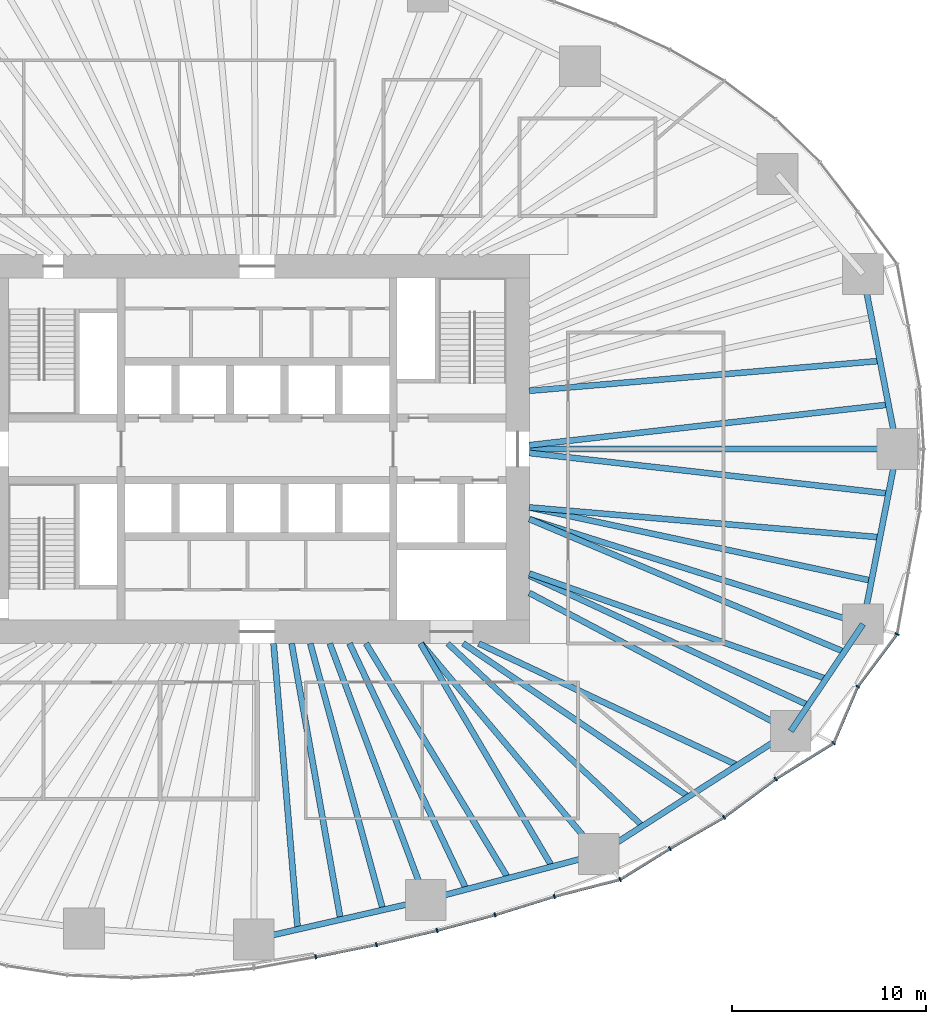
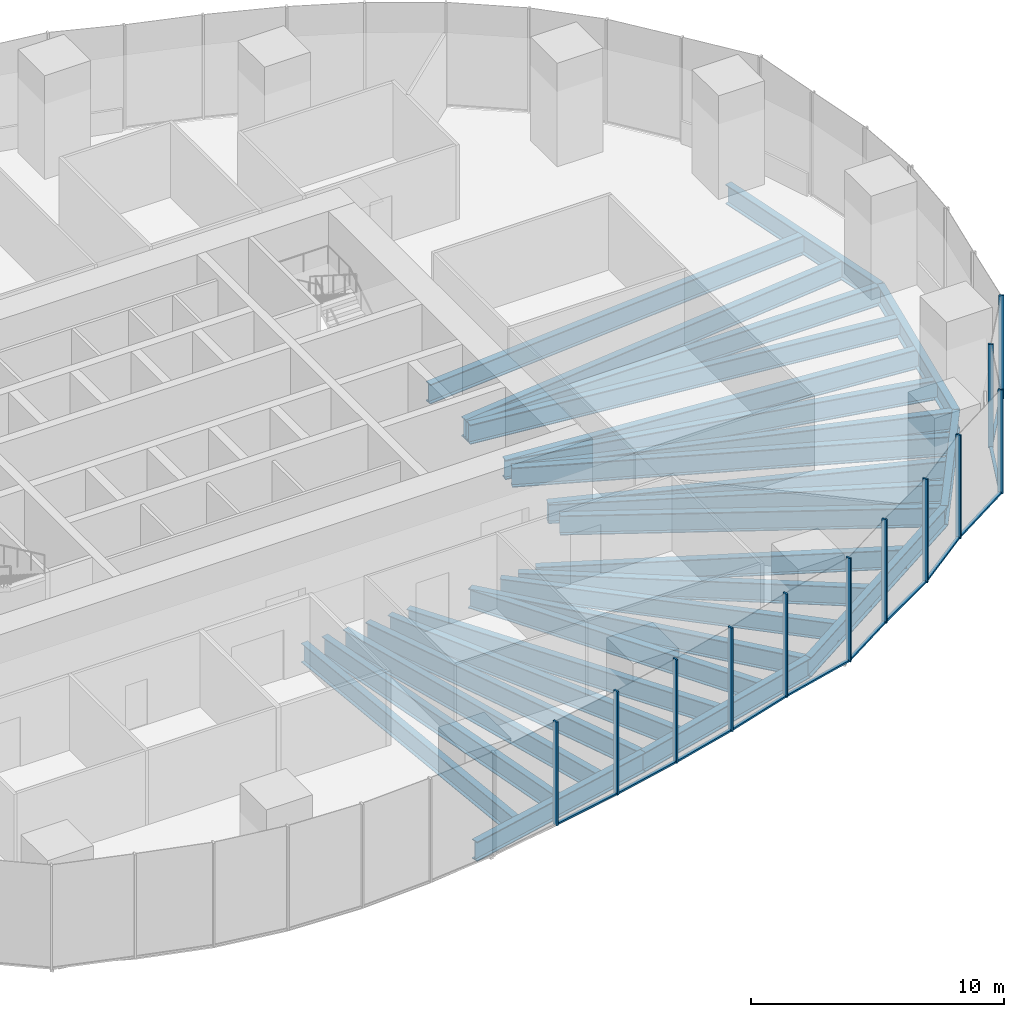
# One storey, part 4 of 20: 28 beams, 23 members, 5 elements without a shape of their own.
"""IFC4 building model written with IfcOpenShell, lengths in metres."""

from ifc_helpers import new_model, si_unit, direction, frame, origin, origin_2d, place, context, subcontext, project, spatial, rectangle, i_section, extrude, material, material_profile, profile_set, type_object, element, aggregate, save


model = new_model("IFC4")

# Units and contexts
model_context = context("Model", 3, precision=1e-05, world=origin(), true_north=direction((0.0, 1.0)))
body_context = subcontext(model_context, "Body", "Model", "MODEL_VIEW")
ifc_project = project(units=[si_unit("LENGTHUNIT", "METRE"), si_unit("AREAUNIT", "SQUARE_METRE"), si_unit("VOLUMEUNIT", "CUBIC_METRE"), si_unit("PLANEANGLEUNIT", "RADIAN"), si_unit("MASSUNIT", "GRAM", prefix="KILO")], contexts=[model_context])

# Site, building, storey
site_placement = place(None, origin())
site = spatial("IfcSite", under=ifc_project, at=site_placement, CompositionType="ELEMENT")
building_placement = place(site_placement, origin())
building = spatial("IfcBuilding", under=site, at=building_placement, Name="Ghaith Harvest Tower", CompositionType="ELEMENT")
storey_placement = place(building_placement, frame((0.0, 0.0, 35.0)))
storey = spatial("IfcBuildingStorey", under=building, at=storey_placement, Name="L07", CompositionType="ELEMENT", Elevation=35.0)

# Curtain wall, members
ifc_material_1 = material(Name="Black anodised aluminium and fritted glass", Category="aluminium")
curtain_wall_type = type_object("IfcCurtainWallType", Name="CW-F CURTAIN WALL", PredefinedType="NOTDEFINED", material=ifc_material_1)
curtain_wall_1_placement = place(storey_placement, origin())
curtain_wall_1 = element("IfcCurtainWall", 1, at=curtain_wall_1_placement, inside=storey, type_object=curtain_wall_type, Name="Curtain wall CW-F bay 16 L07", PredefinedType="NOTDEFINED")
ifc_material_2 = material(Name="Aluminium, black anodised", Category="aluminium")
ifc_material_profile_1 = material_profile(ifc_material_2, rectangle(XDim=0.080078125, YDim=0.219970703125, at=origin_2d()), Name="CW-F MULLION 80x220")
ifc_profile_set_1 = profile_set([ifc_material_profile_1], Name="Aluminium, black anodised")
member_type_1 = type_object("IfcMemberType", Name="CW-F MULLION 80x220", PredefinedType="MULLION", material=ifc_profile_set_1)
member_1_placement = place(storey_placement, frame((3.00927734375, -26.123291015625, 0.0), z_axis=(0.0, 0.0, 1.0), x_axis=(0.981818445714, 0.189822389762, 0.0)))
member_1 = element("IfcMember", 2, at=member_1_placement, type_object=member_type_1, Name="CW-F mullion 2 bay 16 L07", PredefinedType="MULLION", context=body_context, shape_type="SweptSolid", body=[
    extrude(rectangle(XDim=0.080078125, YDim=0.219970703125, at=origin_2d()), origin(), (0.0, 0.0, 1.0), 5.0),
])
member_2_placement = place(storey_placement, frame((6.136962890625, -25.495361328125, 0.0), z_axis=(0.0, 0.0, 1.0), x_axis=(0.977117973572, 0.212698062336, 0.0)))
member_2 = element("IfcMember", 3, at=member_2_placement, type_object=member_type_1, Name="CW-F mullion 3 bay 16 L07", PredefinedType="MULLION", context=body_context, shape_type="SweptSolid", body=[
    extrude(rectangle(XDim=0.080078125, YDim=0.219970703125, at=origin_2d()), origin(), (0.0, 0.0, 1.0), 5.0),
])

curtain_wall_2_placement = place(storey_placement, origin())
curtain_wall_2 = element("IfcCurtainWall", 4, at=curtain_wall_2_placement, inside=storey, type_object=curtain_wall_type, Name="Curtain wall CW-F bay 17 L07", PredefinedType="NOTDEFINED")
member_3_placement = place(storey_placement, frame((9.25732421875, -24.76318359375, 0.0), z_axis=(0.0, 0.0, 1.0), x_axis=(0.969903429248, 0.24348991341, 0.0)))
member_3 = element("IfcMember", 5, at=member_3_placement, type_object=member_type_1, Name="CW-F mullion 1 bay 17 L07", PredefinedType="MULLION", context=body_context, shape_type="SweptSolid", body=[
    extrude(rectangle(XDim=0.080078125, YDim=0.219970703125, at=origin_2d()), origin(), (0.0, 0.0, 1.0), 5.0),
])
member_4_placement = place(storey_placement, frame((12.234375, -23.964599609375, 0.0), z_axis=(0.0, 0.0, 1.0), x_axis=(0.960502189734, 0.278272426799, 0.0)))
member_4 = element("IfcMember", 6, at=member_4_placement, type_object=member_type_1, Name="CW-F mullion 2 bay 17 L07", PredefinedType="MULLION", context=body_context, shape_type="SweptSolid", body=[
    extrude(rectangle(XDim=0.080078125, YDim=0.219970703125, at=origin_2d()), origin(), (0.0, 0.0, 1.0), 5.0),
])
member_5_placement = place(storey_placement, frame((15.28759765625, -23.01611328125, 0.0), z_axis=(0.0, 0.0, 1.0), x_axis=(0.962313144018, 0.27194376781, 0.0)))
member_5 = element("IfcMember", 7, at=member_5_placement, type_object=member_type_1, Name="CW-F mullion 3 bay 17 L07", PredefinedType="MULLION", context=body_context, shape_type="SweptSolid", body=[
    extrude(rectangle(XDim=0.080078125, YDim=0.219970703125, at=origin_2d()), origin(), (0.0, 0.0, 1.0), 5.0),
])

curtain_wall_3_placement = place(storey_placement, origin())
curtain_wall_3 = element("IfcCurtainWall", 8, at=curtain_wall_3_placement, inside=storey, type_object=curtain_wall_type, Name="Curtain wall CW-F bay 18 L07", PredefinedType="NOTDEFINED")
member_6_placement = place(storey_placement, frame((18.674072265625, -22.144775390625, 0.0), z_axis=(0.0, 0.0, 1.0), x_axis=(0.923910199299, 0.382609387799, 0.0)))
member_6 = element("IfcMember", 9, at=member_6_placement, type_object=member_type_1, Name="CW-F mullion 1 bay 18 L07", PredefinedType="MULLION", context=body_context, shape_type="SweptSolid", body=[
    extrude(rectangle(XDim=0.080078125, YDim=0.219970703125, at=origin_2d()), origin(), (0.0, 0.0, 1.0), 5.0),
])
member_7_placement = place(storey_placement, frame((21.2353515625, -20.552978515625, 0.0), z_axis=(0.0, 0.0, 1.0), x_axis=(0.858140414942, 0.513415064293, 0.0)))
member_7 = element("IfcMember", 10, at=member_7_placement, type_object=member_type_1, Name="CW-F mullion 2 bay 18 L07", PredefinedType="MULLION", context=body_context, shape_type="SweptSolid", body=[
    extrude(rectangle(XDim=0.080078125, YDim=0.219970703125, at=origin_2d()), origin(), (0.0, 0.0, 1.0), 5.0),
])
member_8_placement = place(storey_placement, frame((24.018310546875, -18.947265625, 0.0), z_axis=(0.0, 0.0, 1.0), x_axis=(0.835443516838, 0.549576318788, 0.0)))
member_8 = element("IfcMember", 11, at=member_8_placement, type_object=member_type_1, Name="CW-F mullion 3 bay 18 L07", PredefinedType="MULLION", context=body_context, shape_type="SweptSolid", body=[
    extrude(rectangle(XDim=0.080078125, YDim=0.219970703125, at=origin_2d()), origin(), (0.0, 0.0, 1.0), 5.0),
])

curtain_wall_4_placement = place(storey_placement, origin())
curtain_wall_4 = element("IfcCurtainWall", 12, at=curtain_wall_4_placement, inside=storey, type_object=curtain_wall_type, Name="Curtain wall CW-F bay 19 L07", PredefinedType="NOTDEFINED")
member_9_placement = place(storey_placement, frame((26.673828125, -16.9755859375, 0.0), z_axis=(0.0, 0.0, 1.0), x_axis=(0.828002038115, 0.560725088504, 0.0)))
member_9 = element("IfcMember", 13, at=member_9_placement, type_object=member_type_1, Name="CW-F mullion 1 bay 19 L07", PredefinedType="MULLION", context=body_context, shape_type="SweptSolid", body=[
    extrude(rectangle(XDim=0.080078125, YDim=0.219970703125, at=origin_2d()), origin(), (0.0, 0.0, 1.0), 5.0),
])
member_10_placement = place(storey_placement, frame((29.659912109375, -15.126953125, 0.0), z_axis=(0.0, 0.0, 1.0), x_axis=(0.663604797505, 0.748083332743, 0.0)))
member_10 = element("IfcMember", 14, at=member_10_placement, type_object=member_type_1, Name="CW-F mullion 2 bay 19 L07", PredefinedType="MULLION", context=body_context, shape_type="SweptSolid", body=[
    extrude(rectangle(XDim=0.080078125, YDim=0.219970703125, at=origin_2d()), origin(), (0.0, 0.0, 1.0), 5.0),
])
member_11_placement = place(storey_placement, frame((30.896728515625, -12.215087890625, 0.0), z_axis=(0.0, 0.0, 1.0), x_axis=(0.5027946428, 0.864405892606, 0.0)))
member_11 = element("IfcMember", 15, at=member_11_placement, type_object=member_type_1, Name="CW-F mullion 3 bay 19 L07", PredefinedType="MULLION", context=body_context, shape_type="SweptSolid", body=[
    extrude(rectangle(XDim=0.080078125, YDim=0.219970703125, at=origin_2d()), origin(), (0.0, 0.0, 1.0), 5.0),
])

# Curtain wall, member
curtain_wall_5_placement = place(storey_placement, origin())
curtain_wall_5 = element("IfcCurtainWall", 16, at=curtain_wall_5_placement, inside=storey, type_object=curtain_wall_type, Name="Curtain wall CW-F bay 20 L07", PredefinedType="NOTDEFINED")
member_12_placement = place(storey_placement, frame((32.923583984375, -9.515625, 0.0), z_axis=(0.0, 0.0, 1.0), x_axis=(0.404701694001, 0.914448762301, 0.0)))
member_12 = element("IfcMember", 17, at=member_12_placement, type_object=member_type_1, Name="CW-F mullion 1 bay 20 L07", PredefinedType="MULLION", context=body_context, shape_type="SweptSolid", body=[
    extrude(rectangle(XDim=0.080078125, YDim=0.219970703125, at=origin_2d()), origin(), (0.0, 0.0, 1.0), 5.0),
])
aggregate(curtain_wall_5, [member_12])

# Member
ifc_material_3 = material(Name="Aluminium, black anodised", Category="aluminium")
ifc_material_profile_2 = material_profile(ifc_material_3, rectangle(XDim=0.139892578125, YDim=0.080078125, at=origin_2d()), Name="CW-F TRANSOM 140x80")
ifc_profile_set_2 = profile_set([ifc_material_profile_2], Name="Aluminium, black anodised")
member_type_2 = type_object("IfcMemberType", Name="CW-F TRANSOM 140x80", PredefinedType="USERDEFINED", material=ifc_profile_set_2)
member_13_placement = place(storey_placement, frame((3.04833984375, -26.115478515625, 0.0400390625), z_axis=(0.980432471193, 0.196855707129, 0.0), x_axis=(-0.196855707129, 0.980432471193, 0.0)))
member_13 = element("IfcMember", 18, at=member_13_placement, type_object=member_type_2, Name="CW-F transom 2 bay 16 L07", ObjectType="TRANSOM", PredefinedType="USERDEFINED", context=body_context, shape_type="SweptSolid", body=[
    extrude(rectangle(XDim=0.139892578125, YDim=0.080078125, at=origin_2d()), origin(), (0.0, 0.0, 1.0), 3.1103515625),
])

member_14_placement = place(storey_placement, frame((6.176025390625, -25.486083984375, 0.0400390625), z_axis=(0.973560415159, 0.228429678537, 0.0), x_axis=(-0.228429678537, 0.973560415159, 0.0)))
member_14 = element("IfcMember", 19, at=member_14_placement, type_object=member_type_2, Name="CW-F transom 3 bay 16 L07", ObjectType="TRANSOM", PredefinedType="USERDEFINED", context=body_context, shape_type="SweptSolid", body=[
    extrude(rectangle(XDim=0.139892578125, YDim=0.080078125, at=origin_2d()), origin(), (0.0, 0.0, 1.0), 3.125),
])

aggregate(curtain_wall_1, [member_1, member_13, member_2, member_14])

member_15_placement = place(storey_placement, frame((9.2958984375, -24.7529296875, 0.0400390625), z_axis=(0.965832908495, 0.259165570377, 0.0), x_axis=(-0.259165570377, 0.965832908495, 0.0)))
member_15 = element("IfcMember", 20, at=member_15_placement, type_object=member_type_2, Name="CW-F transom 1 bay 17 L07", ObjectType="TRANSOM", PredefinedType="USERDEFINED", context=body_context, shape_type="SweptSolid", body=[
    extrude(rectangle(XDim=0.139892578125, YDim=0.080078125, at=origin_2d()), origin(), (0.0, 0.0, 1.0), 3.002197265625),
])

member_16_placement = place(storey_placement, frame((12.2724609375, -23.95263671875, 0.0400390625), z_axis=(0.954998362353, 0.296611071781, 0.0), x_axis=(-0.296611071781, 0.954998362353, 0.0)))
member_16 = element("IfcMember", 21, at=member_16_placement, type_object=member_type_2, Name="CW-F transom 2 bay 17 L07", ObjectType="TRANSOM", PredefinedType="USERDEFINED", context=body_context, shape_type="SweptSolid", body=[
    extrude(rectangle(XDim=0.139892578125, YDim=0.080078125, at=origin_2d()), origin(), (0.0, 0.0, 1.0), 3.1171875),
])

member_17_placement = place(storey_placement, frame((15.326171875, -23.006103515625, 0.0400390625), z_axis=(0.968463874592, 0.249154015841, 0.0), x_axis=(-0.249154015841, 0.968463874592, 0.0)))
member_17 = element("IfcMember", 22, at=member_17_placement, type_object=member_type_2, Name="CW-F transom 3 bay 17 L07", ObjectType="TRANSOM", PredefinedType="USERDEFINED", context=body_context, shape_type="SweptSolid", body=[
    extrude(rectangle(XDim=0.139892578125, YDim=0.080078125, at=origin_2d()), origin(), (0.0, 0.0, 1.0), 3.416748046875),
])

aggregate(curtain_wall_2, [member_3, member_15, member_4, member_16, member_5, member_17])

member_18_placement = place(storey_placement, frame((18.7080078125, -22.12353515625, 0.0400390625), z_axis=(0.849383069026, 0.527776848726, 0.0), x_axis=(-0.527776848726, 0.849383069026, 0.0)))
member_18 = element("IfcMember", 23, at=member_18_placement, type_object=member_type_2, Name="CW-F transom 1 bay 18 L07", ObjectType="TRANSOM", PredefinedType="USERDEFINED", context=body_context, shape_type="SweptSolid", body=[
    extrude(rectangle(XDim=0.139892578125, YDim=0.080078125, at=origin_2d()), origin(), (0.0, 0.0, 1.0), 2.935546875),
])

member_19_placement = place(storey_placement, frame((21.27001953125, -20.532958984375, 0.0400390625), z_axis=(0.866168719914, 0.499751686983, 0.0), x_axis=(-0.499751686983, 0.866168719914, 0.0)))
member_19 = element("IfcMember", 24, at=member_19_placement, type_object=member_type_2, Name="CW-F transom 2 bay 18 L07", ObjectType="TRANSOM", PredefinedType="USERDEFINED", context=body_context, shape_type="SweptSolid", body=[
    extrude(rectangle(XDim=0.139892578125, YDim=0.080078125, at=origin_2d()), origin(), (0.0, 0.0, 1.0), 3.1328125),
])

member_20_placement = place(storey_placement, frame((24.050537109375, -18.92333984375, 0.0400390625), z_axis=(0.802877287823, 0.596144328748, 0.0), x_axis=(-0.596144328748, 0.802877287823, 0.0)))
member_20 = element("IfcMember", 25, at=member_20_placement, type_object=member_type_2, Name="CW-F transom 3 bay 18 L07", ObjectType="TRANSOM", PredefinedType="USERDEFINED", context=body_context, shape_type="SweptSolid", body=[
    extrude(rectangle(XDim=0.139892578125, YDim=0.080078125, at=origin_2d()), origin(), (0.0, 0.0, 1.0), 3.2275390625),
])

aggregate(curtain_wall_3, [member_6, member_18, member_7, member_19, member_8, member_20])

member_21_placement = place(storey_placement, frame((26.707763671875, -16.954345703125, 0.0400390625), z_axis=(0.850260598386, 0.526361961802, 0.0), x_axis=(-0.526361961802, 0.850260598386, 0.0)))
member_21 = element("IfcMember", 26, at=member_21_placement, type_object=member_type_2, Name="CW-F transom 1 bay 19 L07", ObjectType="TRANSOM", PredefinedType="USERDEFINED", context=body_context, shape_type="SweptSolid", body=[
    extrude(rectangle(XDim=0.139892578125, YDim=0.080078125, at=origin_2d()), origin(), (0.0, 0.0, 1.0), 3.431884765625),
])

member_22_placement = place(storey_placement, frame((29.675537109375, -15.090087890625, 0.0400390625), z_axis=(0.390936107494, 0.92041781809, 0.0), x_axis=(-0.92041781809, 0.390936107494, 0.0)))
member_22 = element("IfcMember", 27, at=member_22_placement, type_object=member_type_2, Name="CW-F transom 2 bay 19 L07", ObjectType="TRANSOM", PredefinedType="USERDEFINED", context=body_context, shape_type="SweptSolid", body=[
    extrude(rectangle(XDim=0.139892578125, YDim=0.080078125, at=origin_2d()), origin(), (0.0, 0.0, 1.0), 3.083740234375),
])

member_23_placement = place(storey_placement, frame((30.920654296875, -12.18310546875, 0.0400390625), z_axis=(0.600462135687, 0.799653189581, 0.0), x_axis=(-0.799653189581, 0.600462135687, 0.0)))
member_23 = element("IfcMember", 28, at=member_23_placement, type_object=member_type_2, Name="CW-F transom 3 bay 19 L07", ObjectType="TRANSOM", PredefinedType="USERDEFINED", context=body_context, shape_type="SweptSolid", body=[
    extrude(rectangle(XDim=0.139892578125, YDim=0.080078125, at=origin_2d()), origin(), (0.0, 0.0, 1.0), 3.2958984375),
])

aggregate(curtain_wall_4, [member_9, member_21, member_10, member_22, member_11, member_23])

# Beams
ifc_material_4 = material(Name="Steel ASTM A992 Grade 50", Category="steel")
ifc_material_profile_3 = material_profile(ifc_material_4, i_section(OverallWidth=0.306884765625, OverallDepth=0.94189453125, WebThickness=0.022216796875, FlangeThickness=0.039794921875, at=origin_2d()), Name="W920X345")
ifc_profile_set_3 = profile_set([ifc_material_profile_3], Name="Steel ASTM A992 Grade 50")
beam_type_1 = type_object("IfcBeamType", Name="E920-345 W920X345", PredefinedType="SPANDREL", material=ifc_profile_set_3)
beam_1_placement = place(storey_placement, frame((32.925048828125, 0.0, -0.6708984375), z_axis=(-0.191653479461, 0.981462655332, 0.0), x_axis=(-0.981462655332, -0.191653479461, 0.0)))
element("IfcBeam", 29, at=beam_1_placement, inside=storey, type_object=beam_type_1, Name="Edge beam E01 L07", PredefinedType="SPANDREL", context=body_context, shape_type="SweptSolid", body=[
    extrude(i_section(OverallWidth=0.306884765625, OverallDepth=0.94189453125, WebThickness=0.022216796875, FlangeThickness=0.039794921875, at=origin_2d()), origin(), (0.0, 0.0, 1.0), 9.17822265625),
])
beam_2_placement = place(storey_placement, frame((-0.173095703125, -25.22412109375, -0.6708984375), z_axis=(0.974881709383, 0.22272326486, 0.0), x_axis=(-0.22272326486, 0.974881709383, 0.0)))
element("IfcBeam", 30, at=beam_2_placement, inside=storey, type_object=beam_type_1, Name="Edge beam E16 L07", PredefinedType="SPANDREL", context=body_context, shape_type="SweptSolid", body=[
    extrude(i_section(OverallWidth=0.306884765625, OverallDepth=0.94189453125, WebThickness=0.022216796875, FlangeThickness=0.039794921875, at=origin_2d()), origin(), (0.0, 0.0, 1.0), 9.0751953125),
])
beam_3_placement = place(storey_placement, frame((8.674072265625, -23.202880859375, -0.6708984375), z_axis=(0.966419097109, 0.256971065963, 0.0), x_axis=(-0.256971065963, 0.966419097109, 0.0)))
element("IfcBeam", 31, at=beam_3_placement, inside=storey, type_object=beam_type_1, Name="Edge beam E17 L07", PredefinedType="SPANDREL", context=body_context, shape_type="SweptSolid", body=[
    extrude(i_section(OverallWidth=0.306884765625, OverallDepth=0.94189453125, WebThickness=0.022216796875, FlangeThickness=0.039794921875, at=origin_2d()), origin(), (0.0, 0.0, 1.0), 9.20703125),
])
beam_4_placement = place(storey_placement, frame((17.572021484375, -20.8369140625, -0.6708984375), z_axis=(0.842014649705, 0.539454659524, 0.0), x_axis=(-0.539454659524, 0.842014649705, 0.0)))
element("IfcBeam", 32, at=beam_4_placement, inside=storey, type_object=beam_type_1, Name="Edge beam E18 L07", PredefinedType="SPANDREL", context=body_context, shape_type="SweptSolid", body=[
    extrude(i_section(OverallWidth=0.306884765625, OverallDepth=0.94189453125, WebThickness=0.022216796875, FlangeThickness=0.039794921875, at=origin_2d()), origin(), (0.0, 0.0, 1.0), 11.730224609375),
])
beam_5_placement = place(storey_placement, frame((27.448974609375, -14.509033203125, -0.6708984375), z_axis=(0.559874470017, 0.828577442261, 0.0), x_axis=(-0.828577442261, 0.559874470017, 0.0)))
element("IfcBeam", 33, at=beam_5_placement, inside=storey, type_object=beam_type_1, Name="Edge beam E19 L07", PredefinedType="SPANDREL", context=body_context, shape_type="SweptSolid", body=[
    extrude(i_section(OverallWidth=0.306884765625, OverallDepth=0.94189453125, WebThickness=0.022216796875, FlangeThickness=0.039794921875, at=origin_2d()), origin(), (0.0, 0.0, 1.0), 6.63916015625),
])
beam_6_placement = place(storey_placement, frame((31.166015625, -9.008056640625, -0.6708984375), z_axis=(0.191653479461, 0.981462655332, 0.0), x_axis=(-0.981462655332, 0.191653479461, 0.0)))
element("IfcBeam", 34, at=beam_6_placement, inside=storey, type_object=beam_type_1, Name="Edge beam E20 L07", PredefinedType="SPANDREL", context=body_context, shape_type="SweptSolid", body=[
    extrude(i_section(OverallWidth=0.306884765625, OverallDepth=0.94189453125, WebThickness=0.022216796875, FlangeThickness=0.039794921875, at=origin_2d()), origin(), (0.0, 0.0, 1.0), 9.17822265625),
])
ifc_material_5 = material(Name="Steel ASTM A992 Grade 50", Category="steel")
ifc_material_profile_4 = material_profile(ifc_material_5, i_section(OverallWidth=0.306884765625, OverallDepth=0.94189453125, WebThickness=0.022216796875, FlangeThickness=0.039794921875, at=origin_2d()), Name="W920X345")
ifc_profile_set_4 = profile_set([ifc_material_profile_4], Name="Steel ASTM A992 Grade 50")
beam_type_2 = type_object("IfcBeamType", Name="G920-345 W920X345", PredefinedType="BEAM", material=ifc_profile_set_4)
beam_7_placement = place(storey_placement, frame((14.0, 0.0, -0.6708984375), z_axis=(1.0, 0.0, 0.0), x_axis=(0.0, 1.0, 0.0)))
element("IfcBeam", 35, at=beam_7_placement, inside=storey, type_object=beam_type_2, Name="Radial girder G01 L07", PredefinedType="BEAM", context=body_context, shape_type="SweptSolid", body=[
    extrude(i_section(OverallWidth=0.306884765625, OverallDepth=0.94189453125, WebThickness=0.022216796875, FlangeThickness=0.039794921875, at=origin_2d()), origin(), (0.0, 0.0, 1.0), 18.925048828125),
])
beam_8_placement = place(storey_placement, frame((3.73828125, -10.0, -0.6708984375), z_axis=(0.350172283717, -0.936685310932, 0.0), x_axis=(0.936685310932, 0.350172283717, 0.0)))
element("IfcBeam", 36, at=beam_8_placement, inside=storey, type_object=beam_type_2, Name="Radial girder G17 L07", PredefinedType="BEAM", context=body_context, shape_type="SweptSolid", body=[
    extrude(i_section(OverallWidth=0.306884765625, OverallDepth=0.94189453125, WebThickness=0.022216796875, FlangeThickness=0.039794921875, at=origin_2d()), origin(), (0.0, 0.0, 1.0), 14.09521484375),
])
beam_9_placement = place(storey_placement, frame((8.4326171875, -10.0, -0.6708984375), z_axis=(0.644696130938, -0.764438943771, 0.0), x_axis=(0.764438943771, 0.644696130938, 0.0)))
element("IfcBeam", 37, at=beam_9_placement, inside=storey, type_object=beam_type_2, Name="Radial girder G18 L07", PredefinedType="BEAM", context=body_context, shape_type="SweptSolid", body=[
    extrude(i_section(OverallWidth=0.306884765625, OverallDepth=0.94189453125, WebThickness=0.022216796875, FlangeThickness=0.039794921875, at=origin_2d()), origin(), (0.0, 0.0, 1.0), 14.17626953125),
])
beam_10_placement = place(storey_placement, frame((14.0, -7.39990234375, -0.6708984375), z_axis=(0.884084425997, -0.467327216959, 0.0), x_axis=(0.467327216959, 0.884084425997, 0.0)))
element("IfcBeam", 38, at=beam_10_placement, inside=storey, type_object=beam_type_2, Name="Radial girder G19 L07", PredefinedType="BEAM", context=body_context, shape_type="SweptSolid", body=[
    extrude(i_section(OverallWidth=0.306884765625, OverallDepth=0.94189453125, WebThickness=0.022216796875, FlangeThickness=0.039794921875, at=origin_2d()), origin(), (0.0, 0.0, 1.0), 15.21240234375),
])
beam_11_placement = place(storey_placement, frame((14.0, -3.60009765625, -0.6708984375), z_axis=(0.953788071692, -0.300480139607, 0.0), x_axis=(0.300480139607, 0.953788071692, 0.0)))
element("IfcBeam", 39, at=beam_11_placement, inside=storey, type_object=beam_type_2, Name="Radial girder G20 L07", PredefinedType="BEAM", context=body_context, shape_type="SweptSolid", body=[
    extrude(i_section(OverallWidth=0.306884765625, OverallDepth=0.94189453125, WebThickness=0.022216796875, FlangeThickness=0.039794921875, at=origin_2d()), origin(), (0.0, 0.0, 1.0), 17.997802734375),
])
ifc_material_6 = material(Name="Steel ASTM A992 Grade 50", Category="steel")
ifc_material_profile_5 = material_profile(ifc_material_6, i_section(OverallWidth=0.2939453125, OverallDepth=0.85107421875, WebThickness=0.01611328125, FlangeThickness=0.02685546875, at=origin_2d()), Name="W840X226")
ifc_profile_set_5 = profile_set([ifc_material_profile_5], Name="Steel ASTM A992 Grade 50")
beam_type_3 = type_object("IfcBeamType", Name="J840-226 W840X226", PredefinedType="JOIST", material=ifc_profile_set_5)
beam_12_placement = place(storey_placement, frame((9.800048828125, -10.0, -0.62548828125), z_axis=(0.72994990542, -0.683500647825, 0.0), x_axis=(0.683500647825, 0.72994990542, 0.0)))
element("IfcBeam", 40, at=beam_12_placement, inside=storey, type_object=beam_type_3, Name="Joist J18.1 L07", PredefinedType="JOIST", context=body_context, shape_type="SweptSolid", body=[
    extrude(i_section(OverallWidth=0.2939453125, OverallDepth=0.85107421875, WebThickness=0.01611328125, FlangeThickness=0.02685546875, at=origin_2d()), origin(), (0.0, 0.0, 1.0), 13.7392578125),
])
ifc_material_7 = material(Name="Steel ASTM A992 Grade 50", Category="steel")
ifc_material_profile_6 = material_profile(ifc_material_7, i_section(OverallWidth=0.31005859375, OverallDepth=0.927001953125, WebThickness=0.019287109375, FlangeThickness=0.031982421875, at=origin_2d()), Name="W920X289")
ifc_profile_set_6 = profile_set([ifc_material_profile_6], Name="Steel ASTM A992 Grade 50")
beam_type_4 = type_object("IfcBeamType", Name="J920-289 W920X289", PredefinedType="JOIST", material=ifc_profile_set_6)
beam_13_placement = place(storey_placement, frame((0.844970703125, -10.0, -0.66357421875), z_axis=(0.084208979751, -0.996448115924, 0.0), x_axis=(0.996448115924, 0.084208979751, 0.0)))
element("IfcBeam", 41, at=beam_13_placement, inside=storey, type_object=beam_type_4, Name="Joist J16.1 L07", PredefinedType="JOIST", context=body_context, shape_type="SweptSolid", body=[
    extrude(i_section(OverallWidth=0.31005859375, OverallDepth=0.927001953125, WebThickness=0.019287109375, FlangeThickness=0.031982421875, at=origin_2d()), origin(), (0.0, 0.0, 1.0), 14.760009765625),
])
beam_14_placement = place(storey_placement, frame((1.772705078125, -10.0, -0.66357421875), z_axis=(0.174552818486, -0.98464781194, 0.0), x_axis=(0.98464781194, 0.174552818486, 0.0)))
element("IfcBeam", 42, at=beam_14_placement, inside=storey, type_object=beam_type_4, Name="Joist J16.2 L07", PredefinedType="JOIST", context=body_context, shape_type="SweptSolid", body=[
    extrude(i_section(OverallWidth=0.31005859375, OverallDepth=0.927001953125, WebThickness=0.019287109375, FlangeThickness=0.031982421875, at=origin_2d()), origin(), (0.0, 0.0, 1.0), 14.42578125),
])
beam_15_placement = place(storey_placement, frame((2.73095703125, -10.0, -0.66357421875), z_axis=(0.263463446032, -0.964669379946, 0.0), x_axis=(0.964669379946, 0.263463446032, 0.0)))
element("IfcBeam", 43, at=beam_15_placement, inside=storey, type_object=beam_type_4, Name="Joist J16.3 L07", PredefinedType="JOIST", context=body_context, shape_type="SweptSolid", body=[
    extrude(i_section(OverallWidth=0.31005859375, OverallDepth=0.927001953125, WebThickness=0.019287109375, FlangeThickness=0.031982421875, at=origin_2d()), origin(), (0.0, 0.0, 1.0), 14.20751953125),
])
beam_16_placement = place(storey_placement, frame((4.75, -10.0, -0.66357421875), z_axis=(0.429067127754, -0.903272605519, 0.0), x_axis=(0.903272605519, 0.429067127754, 0.0)))
element("IfcBeam", 44, at=beam_16_placement, inside=storey, type_object=beam_type_4, Name="Joist J17.1 L07", PredefinedType="JOIST", context=body_context, shape_type="SweptSolid", body=[
    extrude(i_section(OverallWidth=0.31005859375, OverallDepth=0.927001953125, WebThickness=0.019287109375, FlangeThickness=0.031982421875, at=origin_2d()), origin(), (0.0, 0.0, 1.0), 14.003173828125),
])
beam_17_placement = place(storey_placement, frame((5.60009765625, -10.0, -0.66357421875), z_axis=(0.517828660199, -0.855484353262, 0.0), x_axis=(0.855484353262, 0.517828660199, 0.0)))
element("IfcBeam", 45, at=beam_17_placement, inside=storey, type_object=beam_type_4, Name="Joist J17.2 L07", PredefinedType="JOIST", context=body_context, shape_type="SweptSolid", body=[
    extrude(i_section(OverallWidth=0.31005859375, OverallDepth=0.927001953125, WebThickness=0.019287109375, FlangeThickness=0.031982421875, at=origin_2d()), origin(), (0.0, 0.0, 1.0), 14.11669921875),
])
beam_18_placement = place(storey_placement, frame((8.39990234375, -10.0, -0.66357421875), z_axis=(0.507894375661, -0.861419353841, 0.0), x_axis=(0.861419353841, 0.507894375661, 0.0)))
element("IfcBeam", 46, at=beam_18_placement, inside=storey, type_object=beam_type_4, Name="Joist J17.3 L07", PredefinedType="JOIST", context=body_context, shape_type="SweptSolid", body=[
    extrude(i_section(OverallWidth=0.31005859375, OverallDepth=0.927001953125, WebThickness=0.019287109375, FlangeThickness=0.031982421875, at=origin_2d()), origin(), (0.0, 0.0, 1.0), 13.32275390625),
])
beam_19_placement = place(storey_placement, frame((10.60009765625, -10.0, -0.66357421875), z_axis=(0.826982555637, -0.562227580853, 0.0), x_axis=(0.562227580853, 0.826982555637, 0.0)))
element("IfcBeam", 47, at=beam_19_placement, inside=storey, type_object=beam_type_4, Name="Joist J18.2 L07", PredefinedType="JOIST", context=body_context, shape_type="SweptSolid", body=[
    extrude(i_section(OverallWidth=0.31005859375, OverallDepth=0.927001953125, WebThickness=0.019287109375, FlangeThickness=0.031982421875, at=origin_2d()), origin(), (0.0, 0.0, 1.0), 14.013671875),
])
beam_20_placement = place(storey_placement, frame((11.39990234375, -10.0, -0.66357421875), z_axis=(0.904709580205, -0.426028843489, 0.0), x_axis=(0.426028843489, 0.904709580205, 0.0)))
element("IfcBeam", 48, at=beam_20_placement, inside=storey, type_object=beam_type_4, Name="Joist J18.3 L07", PredefinedType="JOIST", context=body_context, shape_type="SweptSolid", body=[
    extrude(i_section(OverallWidth=0.31005859375, OverallDepth=0.927001953125, WebThickness=0.019287109375, FlangeThickness=0.031982421875, at=origin_2d()), origin(), (0.0, 0.0, 1.0), 14.708251953125),
])
beam_21_placement = place(storey_placement, frame((14.0, -6.506103515625, -0.66357421875), z_axis=(0.906865804441, -0.421419521067, 0.0), x_axis=(0.421419521067, 0.906865804441, 0.0)))
element("IfcBeam", 49, at=beam_21_placement, inside=storey, type_object=beam_type_4, Name="Joist J19.1 L07", PredefinedType="JOIST", context=body_context, shape_type="SweptSolid", body=[
    extrude(i_section(OverallWidth=0.31005859375, OverallDepth=0.927001953125, WebThickness=0.019287109375, FlangeThickness=0.031982421875, at=origin_2d()), origin(), (0.0, 0.0, 1.0), 15.824462890625),
])
ifc_material_8 = material(Name="Steel ASTM A992 Grade 50", Category="steel")
ifc_material_profile_7 = material_profile(ifc_material_8, i_section(OverallWidth=0.306884765625, OverallDepth=0.94189453125, WebThickness=0.022216796875, FlangeThickness=0.039794921875, at=origin_2d()), Name="W920X345")
ifc_profile_set_7 = profile_set([ifc_material_profile_7], Name="Steel ASTM A992 Grade 50")
beam_type_5 = type_object("IfcBeamType", Name="J920-345 W920X345", PredefinedType="JOIST", material=ifc_profile_set_7)
beam_22_placement = place(storey_placement, frame((14.0, 0.199951171875, -0.6708984375), z_axis=(0.993675458798, 0.112290171352, 0.0), x_axis=(-0.112290171352, 0.993675458798, 0.0)))
element("IfcBeam", 50, at=beam_22_placement, inside=storey, type_object=beam_type_5, Name="Joist J01.1 L07", PredefinedType="JOIST", context=body_context, shape_type="SweptSolid", body=[
    extrude(i_section(OverallWidth=0.306884765625, OverallDepth=0.94189453125, WebThickness=0.022216796875, FlangeThickness=0.039794921875, at=origin_2d()), origin(), (0.0, 0.0, 1.0), 18.595947265625),
])
beam_23_placement = place(storey_placement, frame((14.0, 3.0, -0.6708984375), z_axis=(0.996389274474, 0.084902377546, 0.0), x_axis=(-0.084902377546, 0.996389274474, 0.0)))
element("IfcBeam", 51, at=beam_23_placement, inside=storey, type_object=beam_type_5, Name="Joist J01.2 L07", PredefinedType="JOIST", context=body_context, shape_type="SweptSolid", body=[
    extrude(i_section(OverallWidth=0.306884765625, OverallDepth=0.94189453125, WebThickness=0.022216796875, FlangeThickness=0.039794921875, at=origin_2d()), origin(), (0.0, 0.0, 1.0), 18.1044921875),
])
beam_24_placement = place(storey_placement, frame((14.0, -6.39990234375, -0.6708984375), z_axis=(0.942399857711, -0.334488427581, 0.0), x_axis=(0.334488427581, 0.942399857711, 0.0)))
element("IfcBeam", 52, at=beam_24_placement, inside=storey, type_object=beam_type_5, Name="Joist J19.2 L07", PredefinedType="JOIST", context=body_context, shape_type="SweptSolid", body=[
    extrude(i_section(OverallWidth=0.306884765625, OverallDepth=0.94189453125, WebThickness=0.022216796875, FlangeThickness=0.039794921875, at=origin_2d()), origin(), (0.0, 0.0, 1.0), 16.199951171875),
])
beam_25_placement = place(storey_placement, frame((14.0, -3.60009765625, -0.6708984375), z_axis=(0.921432978784, -0.388537341333, 0.0), x_axis=(0.388537341333, 0.921432978784, 0.0)))
element("IfcBeam", 53, at=beam_25_placement, inside=storey, type_object=beam_type_5, Name="Joist J19.3 L07", PredefinedType="JOIST", context=body_context, shape_type="SweptSolid", body=[
    extrude(i_section(OverallWidth=0.306884765625, OverallDepth=0.94189453125, WebThickness=0.022216796875, FlangeThickness=0.039794921875, at=origin_2d()), origin(), (0.0, 0.0, 1.0), 17.585205078125),
])
beam_26_placement = place(storey_placement, frame((14.0, -3.0, -0.6708984375), z_axis=(0.977831380626, -0.209393865869, 0.0), x_axis=(0.209393865869, 0.977831380626, 0.0)))
element("IfcBeam", 54, at=beam_26_placement, inside=storey, type_object=beam_type_5, Name="Joist J20.1 L07", PredefinedType="JOIST", context=body_context, shape_type="SweptSolid", body=[
    extrude(i_section(OverallWidth=0.306884765625, OverallDepth=0.94189453125, WebThickness=0.022216796875, FlangeThickness=0.039794921875, at=origin_2d()), origin(), (0.0, 0.0, 1.0), 18.002197265625),
])
beam_27_placement = place(storey_placement, frame((14.0, -3.0, -0.6708984375), z_axis=(0.996389274474, -0.084902377546, 0.0), x_axis=(0.084902377546, 0.996389274474, 0.0)))
element("IfcBeam", 55, at=beam_27_placement, inside=storey, type_object=beam_type_5, Name="Joist J20.2 L07", PredefinedType="JOIST", context=body_context, shape_type="SweptSolid", body=[
    extrude(i_section(OverallWidth=0.306884765625, OverallDepth=0.94189453125, WebThickness=0.022216796875, FlangeThickness=0.039794921875, at=origin_2d()), origin(), (0.0, 0.0, 1.0), 18.1044921875),
])
beam_28_placement = place(storey_placement, frame((14.0, -0.199951171875, -0.6708984375), z_axis=(0.993675458798, -0.112290171352, 0.0), x_axis=(0.112290171352, 0.993675458798, 0.0)))
element("IfcBeam", 56, at=beam_28_placement, inside=storey, type_object=beam_type_5, Name="Joist J20.3 L07", PredefinedType="JOIST", context=body_context, shape_type="SweptSolid", body=[
    extrude(i_section(OverallWidth=0.306884765625, OverallDepth=0.94189453125, WebThickness=0.022216796875, FlangeThickness=0.039794921875, at=origin_2d()), origin(), (0.0, 0.0, 1.0), 18.595947265625),
])

save(model, "model.ifc")
